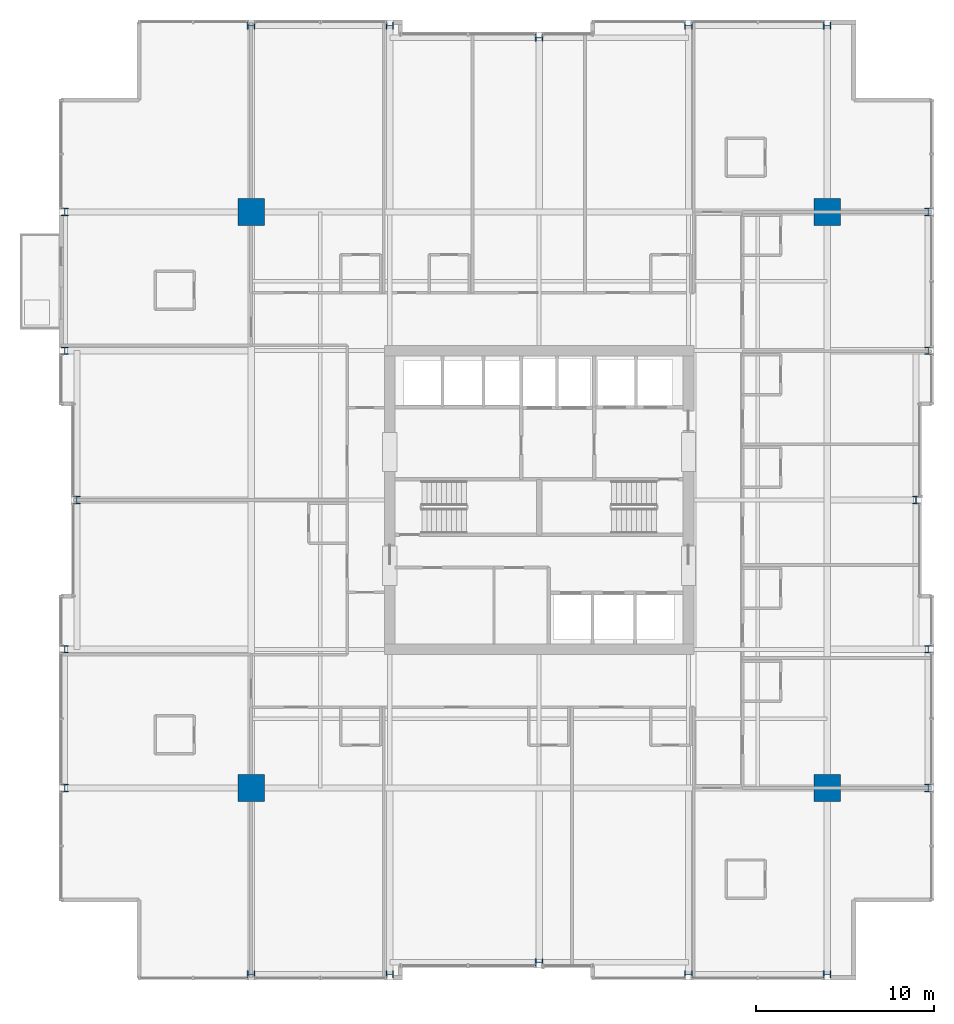
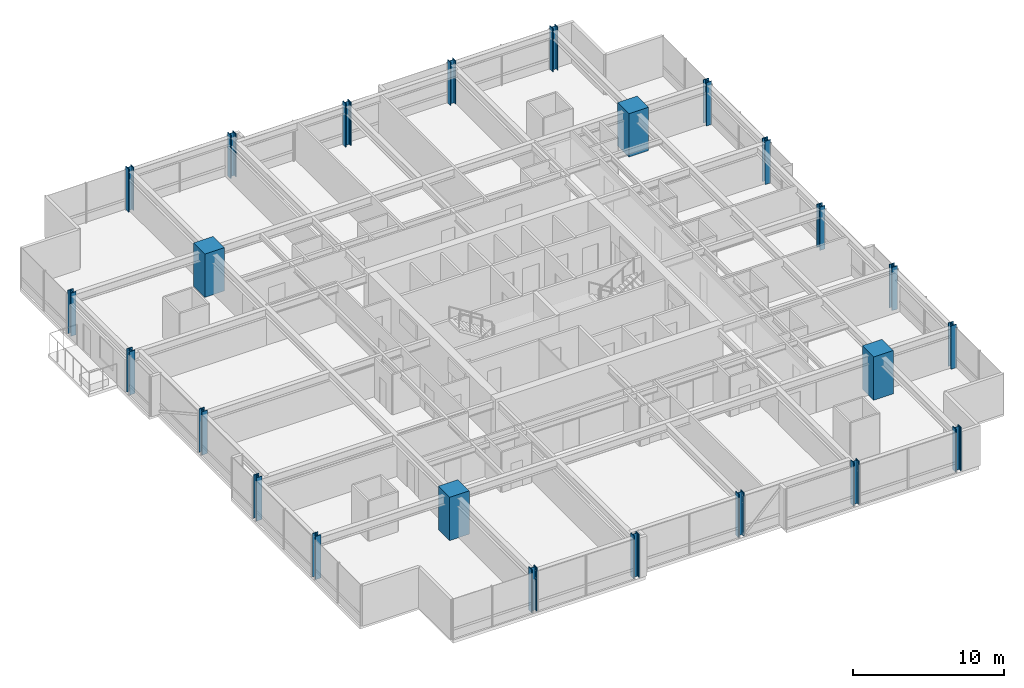
# One storey, part 1 of 35: 24 columns.
"""IFC4 building model written with IfcOpenShell, lengths in metres."""

from ifc_helpers import new_model, si_unit, direction, frame, origin, origin_2d, place, context, subcontext, project, spatial, rectangle, i_section, extrude, material, material_profile, profile_set, type_object, element, save


model = new_model("IFC4")

# Units and contexts
model_context = context("Model", 3, precision=1e-05, world=origin(), true_north=direction((0.0, 1.0)))
body_context = subcontext(model_context, "Body", "Model", "MODEL_VIEW")
ifc_project = project(units=[si_unit("LENGTHUNIT", "METRE"), si_unit("AREAUNIT", "SQUARE_METRE"), si_unit("VOLUMEUNIT", "CUBIC_METRE"), si_unit("PLANEANGLEUNIT", "RADIAN"), si_unit("MASSUNIT", "GRAM", prefix="KILO")], contexts=[model_context])

# Site, building, storey
site_placement = place(None, origin())
site = spatial("IfcSite", under=ifc_project, at=site_placement, CompositionType="ELEMENT")
building_placement = place(site_placement, origin())
building = spatial("IfcBuilding", under=site, at=building_placement, Name="Drelvath Grand Hotel", CompositionType="ELEMENT")
storey_placement = place(building_placement, frame((0.0, 0.0, 123.300048828125)))
storey = spatial("IfcBuildingStorey", under=building, at=storey_placement, Name="L31", CompositionType="ELEMENT", Elevation=123.300048828125)

# Columns
ifc_material_1 = material(Name="Concrete f'c 70 MPa", Category="concrete")
ifc_material_profile_1 = material_profile(ifc_material_1, rectangle(XDim=1.5, YDim=1.5, at=origin_2d()), Name="MC1500X1500")
ifc_profile_set_1 = profile_set([ifc_material_profile_1], Name="Concrete f'c 70 MPa")
column_type_1 = type_object("IfcColumnType", Name="Composite Mega Column MC1500X1500", PredefinedType="COLUMN", material=ifc_profile_set_1)
for number, where, z_axis, x_axis, name in (
    (1, (-16.199951171875, 10.800048828125, 0.0), (0.0, 0.0, 1.0), (1.0, 0.0, 0.0), "L31 Composite Mega Column MC-SW"),
    (2, (16.199951171875, 10.800048828125, 0.0), (0.0, 0.0, 1.0), (1.0, 0.0, 0.0), "L31 Composite Mega Column MC-SE"),
    (3, (-16.199951171875, 43.199951171875, 0.0), (0.0, 0.0, 1.0), (1.0, 0.0, 0.0), "L31 Composite Mega Column MC-NW"),
    (4, (16.199951171875, 43.199951171875, 0.0), (0.0, 0.0, 1.0), (1.0, 0.0, 0.0), "L31 Composite Mega Column MC-NE"),
):
    element("IfcColumn", number, at=place(storey_placement, frame(where, z_axis=z_axis, x_axis=x_axis)), inside=storey, type_object=column_type_1, Name=name, PredefinedType="COLUMN", context=body_context, shape_type="SweptSolid", body=[
        extrude(rectangle(XDim=1.5, YDim=1.5, at=origin_2d()), origin(), (0.0, 0.0, 1.0), 3.5),
    ])
ifc_material_2 = material(Name="Steel ASTM A913 Gr 65", Category="steel")
ifc_material_profile_2 = material_profile(ifc_material_2, i_section(OverallWidth=0.412109375, OverallDepth=0.434814453125, WebThickness=0.035888671875, FlangeThickness=0.057373046875, FilletRadius=0.028076171875, at=origin_2d()), Name="W14X311")
ifc_profile_set_2 = profile_set([ifc_material_profile_2], Name="Steel ASTM A913 Gr 65")
column_type_2 = type_object("IfcColumnType", Name="Perimeter Steel Column W14X311", PredefinedType="COLUMN", material=ifc_profile_set_2)
for number, where, z_axis, x_axis, name in (
    (5, (-26.679931640625, 10.800048828125, 0.0), (0.0, 0.0, 1.0), (1.0, 0.0, 0.0), "L31 Structural Column TCW-C"),
    (6, (21.8798828125, 10.800048828125, 0.0), (0.0, 0.0, 1.0), (1.0, 0.0, 0.0), "L31 Structural Column TCE-C"),
    (7, (-26.679931640625, 18.60009765625, 0.0), (0.0, 0.0, 1.0), (1.0, 0.0, 0.0), "L31 Structural Column TCW-D"),
    (8, (21.8798828125, 18.60009765625, 0.0), (0.0, 0.0, 1.0), (1.0, 0.0, 0.0), "L31 Structural Column TCE-D"),
    (9, (-26.0, 27.0, 0.0), (0.0, 0.0, 1.0), (1.0, 0.0, 0.0), "L31 Structural Column TCW-E"),
    (10, (21.199951171875, 27.0, 0.0), (0.0, 0.0, 1.0), (1.0, 0.0, 0.0), "L31 Structural Column TCE-E"),
    (11, (-26.679931640625, 35.39990234375, 0.0), (0.0, 0.0, 1.0), (1.0, 0.0, 0.0), "L31 Structural Column TCW-F"),
    (12, (21.8798828125, 35.39990234375, 0.0), (0.0, 0.0, 1.0), (1.0, 0.0, 0.0), "L31 Structural Column TCE-F"),
    (13, (-26.679931640625, 43.199951171875, 0.0), (0.0, 0.0, 1.0), (1.0, 0.0, 0.0), "L31 Structural Column TCW-G"),
    (14, (21.8798828125, 43.199951171875, 0.0), (0.0, 0.0, 1.0), (1.0, 0.0, 0.0), "L31 Structural Column TCE-G"),
    (15, (-16.199951171875, 0.320068359375, 0.0), (0.0, 0.0, 1.0), (0.0, 1.0, 0.0), "L31 Structural Column TCS-3"),
    (16, (-16.199951171875, 53.679931640625, 0.0), (0.0, 0.0, 1.0), (0.0, 1.0, 0.0), "L31 Structural Column TCN-3"),
    (17, (-8.39990234375, 0.320068359375, 0.0), (0.0, 0.0, 1.0), (0.0, 1.0, 0.0), "L31 Structural Column TCS-4"),
    (18, (-8.39990234375, 53.679931640625, 0.0), (0.0, 0.0, 1.0), (0.0, 1.0, 0.0), "L31 Structural Column TCN-4"),
    (19, (0.0, 1.0, 0.0), (0.0, 0.0, 1.0), (0.0, 1.0, 0.0), "L31 Structural Column TCS-5"),
    (20, (0.0, 53.0, 0.0), (0.0, 0.0, 1.0), (0.0, 1.0, 0.0), "L31 Structural Column TCN-5"),
    (21, (8.39990234375, 0.320068359375, 0.0), (0.0, 0.0, 1.0), (0.0, 1.0, 0.0), "L31 Structural Column TCS-6"),
    (22, (8.39990234375, 53.679931640625, 0.0), (0.0, 0.0, 1.0), (0.0, 1.0, 0.0), "L31 Structural Column TCN-6"),
    (23, (16.199951171875, 0.320068359375, 0.0), (0.0, 0.0, 1.0), (0.0, 1.0, 0.0), "L31 Structural Column TCS-7"),
    (24, (16.199951171875, 53.679931640625, 0.0), (0.0, 0.0, 1.0), (0.0, 1.0, 0.0), "L31 Structural Column TCN-7"),
):
    element("IfcColumn", number, at=place(storey_placement, frame(where, z_axis=z_axis, x_axis=x_axis)), inside=storey, type_object=column_type_2, Name=name, PredefinedType="COLUMN", context=body_context, shape_type="SweptSolid", body=[
        extrude(i_section(OverallWidth=0.412109375, OverallDepth=0.434814453125, WebThickness=0.035888671875, FlangeThickness=0.057373046875, FilletRadius=0.028076171875, at=origin_2d()), origin(), (0.0, 0.0, 1.0), 3.4970703125),
    ])

save(model, "model.ifc")
